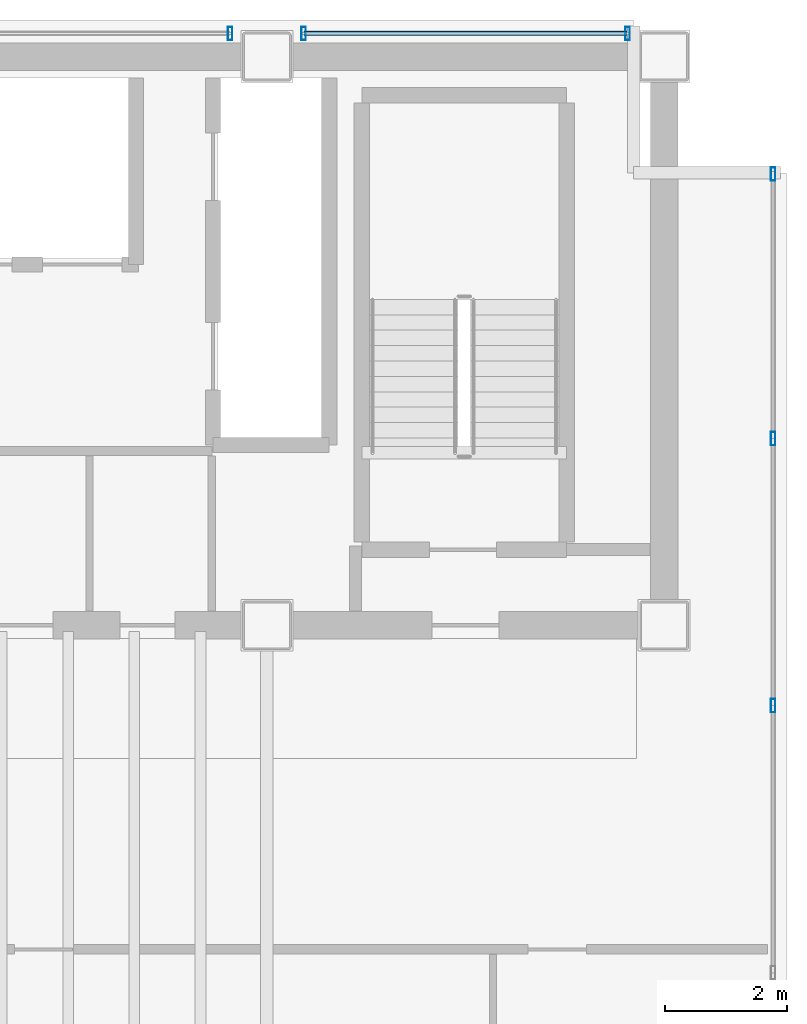
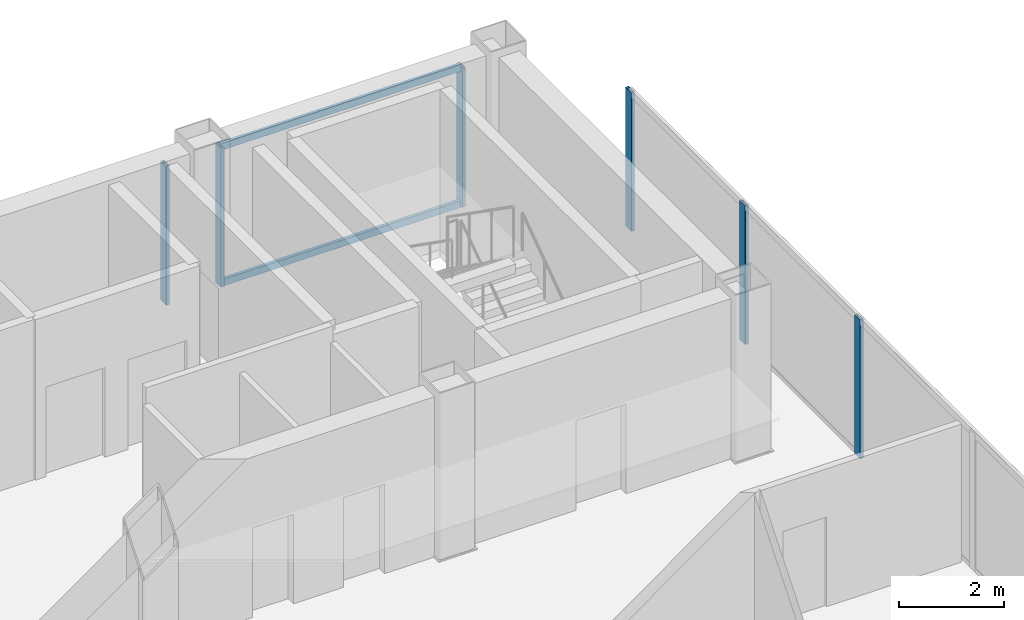
# One storey, part 12 of 16: 8 members, 3 elements without a shape of their own.
"""IFC4 building model written with IfcOpenShell, lengths in metres."""

from ifc_helpers import new_model, si_unit, direction, frame, origin, origin_2d, place, context, subcontext, project, spatial, hollow_rectangle, extrude, material, material_profile, profile_set, type_object, element, aggregate, save


model = new_model("IFC4")

# Units and contexts
model_context = context("Model", 3, precision=1e-05, world=origin(), true_north=direction((0.0, 1.0)))
body_context = subcontext(model_context, "Body", "Model", "MODEL_VIEW")
ifc_project = project(units=[si_unit("LENGTHUNIT", "METRE"), si_unit("AREAUNIT", "SQUARE_METRE"), si_unit("VOLUMEUNIT", "CUBIC_METRE"), si_unit("PLANEANGLEUNIT", "RADIAN"), si_unit("MASSUNIT", "GRAM", prefix="KILO")], contexts=[model_context])

# Site, building, storey
site_placement = place(None, origin())
site = spatial("IfcSite", under=ifc_project, at=site_placement, CompositionType="ELEMENT")
building_placement = place(site_placement, origin())
building = spatial("IfcBuilding", under=site, at=building_placement, Name="Noeulbin Bourse Tower", CompositionType="ELEMENT")
storey_placement = place(building_placement, frame((0.0, 0.0, 238.39990234375)))
storey = spatial("IfcBuildingStorey", under=building, at=storey_placement, Name="L59", CompositionType="ELEMENT", Elevation=238.39990234375)

# Curtain wall, member
ifc_material_1 = material(Name="High-Selectivity Low-Iron Glazing", Category="glass")
curtain_wall_type = type_object("IfcCurtainWallType", Name="CW-SYS-4", PredefinedType="NOTDEFINED", material=ifc_material_1)
curtain_wall_1_placement = place(storey_placement, origin())
curtain_wall_1 = element("IfcCurtainWall", 1, at=curtain_wall_1_placement, inside=storey, type_object=curtain_wall_type, Name="Unitised Curtain Wall CW-L59-N-S5", PredefinedType="NOTDEFINED")
ifc_material_2 = material(Name="Anodised Aluminium 6063-T6", Category="aluminium")
ifc_material_profile_1 = material_profile(ifc_material_2, hollow_rectangle(XDim=0.074951171875, YDim=0.219970703125, WallThickness=0.0048828125, InnerFilletRadius=0.00244140625, OuterFilletRadius=0.0048828125, at=origin_2d()), Name="ALU-MULL-75x220x5", Category="LoadBearing")
ifc_profile_set_1 = profile_set([ifc_material_profile_1], Name="Anodised Aluminium 6063-T6")
member_type_1 = type_object("IfcMemberType", Name="CW-SYS-4-MUL", PredefinedType="MULLION", material=ifc_profile_set_1)
member_1_placement = place(storey_placement, frame((36.89990234375, 38.679931640625, -0.02001953125), z_axis=(0.0, 0.0, 1.0), x_axis=(1.0, 0.0, 0.0)))
member_1 = element("IfcMember", 2, at=member_1_placement, type_object=member_type_1, Name="Curtain Wall Mullion CW-L59-N-S5-M01", PredefinedType="MULLION", context=body_context, shape_type="SweptSolid", body=[
    extrude(hollow_rectangle(XDim=0.074951171875, YDim=0.219970703125, WallThickness=0.0048828125, InnerFilletRadius=0.00244140625, OuterFilletRadius=0.0048828125, at=origin_2d()), origin(), (0.0, 0.0, 1.0), 3.22021484375),
])
aggregate(curtain_wall_1, [member_1])

# Curtain wall, members
curtain_wall_2_placement = place(storey_placement, origin())
curtain_wall_2 = element("IfcCurtainWall", 3, at=curtain_wall_2_placement, inside=storey, type_object=curtain_wall_type, Name="Unitised Curtain Wall CW-L59-N-S6", PredefinedType="NOTDEFINED")
member_2_placement = place(storey_placement, frame((38.10009765625, 38.679931640625, -0.02001953125), z_axis=(0.0, 0.0, 1.0), x_axis=(1.0, 0.0, 0.0)))
member_2 = element("IfcMember", 4, at=member_2_placement, type_object=member_type_1, Name="Curtain Wall Mullion CW-L59-N-S6-M00", PredefinedType="MULLION", context=body_context, shape_type="SweptSolid", body=[
    extrude(hollow_rectangle(XDim=0.074951171875, YDim=0.219970703125, WallThickness=0.0048828125, InnerFilletRadius=0.00244140625, OuterFilletRadius=0.0048828125, at=origin_2d()), origin(), (0.0, 0.0, 1.0), 3.22021484375),
])
member_3_placement = place(storey_placement, frame((43.39990234375, 38.679931640625, -0.02001953125), z_axis=(0.0, 0.0, 1.0), x_axis=(1.0, 0.0, 0.0)))
member_3 = element("IfcMember", 5, at=member_3_placement, type_object=member_type_1, Name="Curtain Wall Mullion CW-L59-N-S6-M01", PredefinedType="MULLION", context=body_context, shape_type="SweptSolid", body=[
    extrude(hollow_rectangle(XDim=0.074951171875, YDim=0.219970703125, WallThickness=0.0048828125, InnerFilletRadius=0.00244140625, OuterFilletRadius=0.0048828125, at=origin_2d()), origin(), (0.0, 0.0, 1.0), 3.22021484375),
])

curtain_wall_3_placement = place(storey_placement, origin())
curtain_wall_3 = element("IfcCurtainWall", 6, at=curtain_wall_3_placement, inside=storey, type_object=curtain_wall_type, Name="Unitised Curtain Wall CW-L59-E", PredefinedType="NOTDEFINED")
member_4_placement = place(storey_placement, frame((45.780029296875, 27.68408203125, -0.02001953125), z_axis=(0.0, 0.0, 1.0), x_axis=(1.0, 0.0, 0.0)))
member_4 = element("IfcMember", 7, at=member_4_placement, type_object=member_type_1, Name="Curtain Wall Mullion CW-L59-E-M03", PredefinedType="MULLION", context=body_context, shape_type="SweptSolid", body=[
    extrude(hollow_rectangle(XDim=0.074951171875, YDim=0.219970703125, WallThickness=0.0048828125, InnerFilletRadius=0.00244140625, OuterFilletRadius=0.0048828125, at=origin_2d()), origin(), (0.0, 0.0, 1.0), 3.22021484375),
])
member_5_placement = place(storey_placement, frame((45.780029296875, 32.052001953125, -0.02001953125), z_axis=(0.0, 0.0, 1.0), x_axis=(1.0, 0.0, 0.0)))
member_5 = element("IfcMember", 8, at=member_5_placement, type_object=member_type_1, Name="Curtain Wall Mullion CW-L59-E-M04", PredefinedType="MULLION", context=body_context, shape_type="SweptSolid", body=[
    extrude(hollow_rectangle(XDim=0.074951171875, YDim=0.219970703125, WallThickness=0.0048828125, InnerFilletRadius=0.00244140625, OuterFilletRadius=0.0048828125, at=origin_2d()), origin(), (0.0, 0.0, 1.0), 3.22021484375),
])
member_6_placement = place(storey_placement, frame((45.780029296875, 36.3798828125, -0.02001953125), z_axis=(0.0, 0.0, 1.0), x_axis=(1.0, 0.0, 0.0)))
member_6 = element("IfcMember", 9, at=member_6_placement, type_object=member_type_1, Name="Curtain Wall Mullion CW-L59-E-M05", PredefinedType="MULLION", context=body_context, shape_type="SweptSolid", body=[
    extrude(hollow_rectangle(XDim=0.074951171875, YDim=0.219970703125, WallThickness=0.0048828125, InnerFilletRadius=0.00244140625, OuterFilletRadius=0.0048828125, at=origin_2d()), origin(), (0.0, 0.0, 1.0), 3.22021484375),
])
aggregate(curtain_wall_3, [member_4, member_5, member_6])

# Member
ifc_material_profile_2 = material_profile(ifc_material_2, hollow_rectangle(XDim=0.074951171875, YDim=0.159912109375, WallThickness=0.0048828125, InnerFilletRadius=0.00244140625, OuterFilletRadius=0.0048828125, at=origin_2d()), Name="ALU-TRAN-75x160x5", Category="LoadBearing")
ifc_profile_set_2 = profile_set([ifc_material_profile_2], Name="Anodised Aluminium 6063-T6")
member_type_2 = type_object("IfcMemberType", Name="CW-SYS-4-TRN", PredefinedType="USERDEFINED", material=ifc_profile_set_2)
member_7_placement = place(storey_placement, frame((38.110107421875, 38.679931640625, 0.010009765625), z_axis=(1.0, 0.0, 0.0), x_axis=(0.0, 1.0, 0.0)))
member_7 = element("IfcMember", 10, at=member_7_placement, type_object=member_type_2, Name="Curtain Wall Transom CW-L59-N-S6-T00", ObjectType="TRANSOM", PredefinedType="USERDEFINED", context=body_context, shape_type="SweptSolid", body=[
    extrude(hollow_rectangle(XDim=0.074951171875, YDim=0.159912109375, WallThickness=0.0048828125, InnerFilletRadius=0.00244140625, OuterFilletRadius=0.0048828125, at=origin_2d()), origin(), (0.0, 0.0, 1.0), 5.27978515625),
])

member_8_placement = place(storey_placement, frame((38.110107421875, 38.679931640625, 3.170166015625), z_axis=(1.0, 0.0, 0.0), x_axis=(0.0, 1.0, 0.0)))
member_8 = element("IfcMember", 11, at=member_8_placement, type_object=member_type_2, Name="Curtain Wall Transom CW-L59-N-S6-T01", ObjectType="TRANSOM", PredefinedType="USERDEFINED", context=body_context, shape_type="SweptSolid", body=[
    extrude(hollow_rectangle(XDim=0.074951171875, YDim=0.159912109375, WallThickness=0.0048828125, InnerFilletRadius=0.00244140625, OuterFilletRadius=0.0048828125, at=origin_2d()), origin(), (0.0, 0.0, 1.0), 5.27978515625),
])

aggregate(curtain_wall_2, [member_2, member_3, member_7, member_8])

save(model, "model.ifc")
